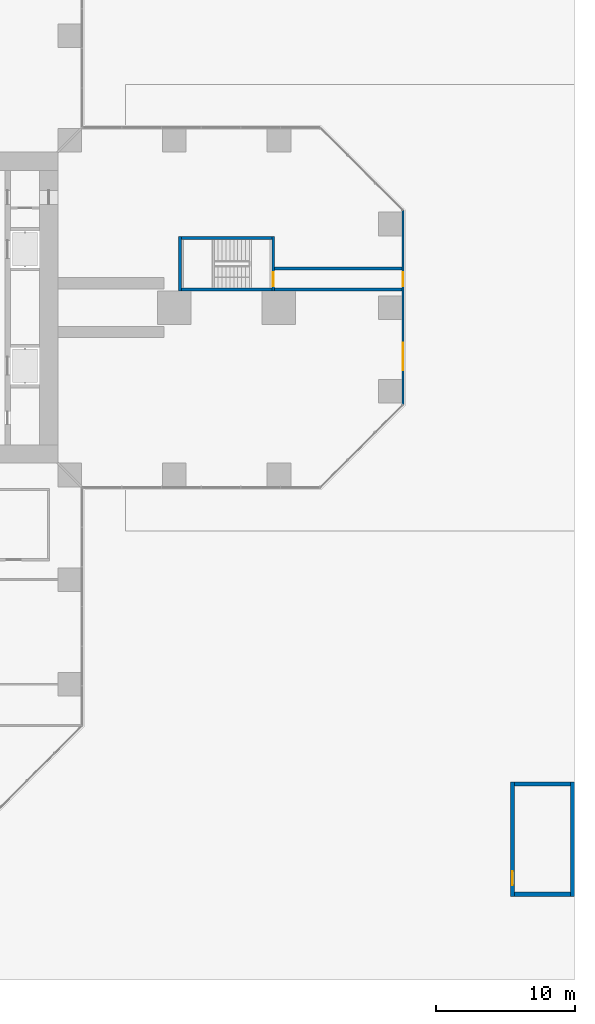
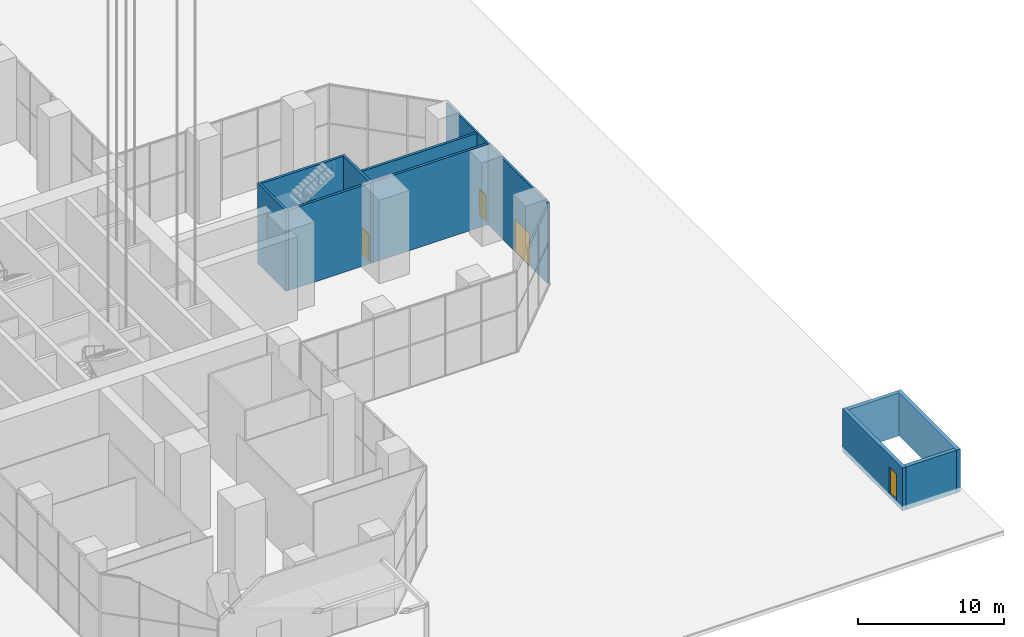
# One storey, part 20 of 43: 11 walls, 4 doors, 4 openings.
"""IFC4 building model written with IfcOpenShell, lengths in metres."""

from ifc_helpers import new_model, si_unit, direction, frame, frame_2d, origin, place, context, subcontext, project, spatial, rectangle, extrude, material, layer, layer_set, type_object, element, fill, save


model = new_model("IFC4")

# Units and contexts
model_context = context("Model", 3, precision=1e-05, world=origin(), true_north=direction((0.0, 1.0)))
body_context = subcontext(model_context, "Body", "Model", "MODEL_VIEW")
ifc_project = project(units=[si_unit("LENGTHUNIT", "METRE"), si_unit("AREAUNIT", "SQUARE_METRE"), si_unit("VOLUMEUNIT", "CUBIC_METRE"), si_unit("PLANEANGLEUNIT", "RADIAN"), si_unit("MASSUNIT", "GRAM", prefix="KILO")], contexts=[model_context])

# Site, building, storey
site_placement = place(None, origin())
site = spatial("IfcSite", under=ifc_project, at=site_placement, CompositionType="ELEMENT")
building_placement = place(site_placement, origin())
building = spatial("IfcBuilding", under=site, at=building_placement, Name="Mizan Broadcast Tower", CompositionType="ELEMENT")
storey_placement = place(building_placement, origin())
storey = spatial("IfcBuildingStorey", under=building, at=storey_placement, Name="L00", CompositionType="ELEMENT", Elevation=0.0)

# Wall, openings, doors
ifc_material_1 = material(Name="Aluminium framed glazed screen", Category="aluminium")
ifc_layer_1 = layer(ifc_material_1, 0.159912109375)
ifc_layer_set_1 = layer_set([ifc_layer_1], Name="Aluminium framed glazed screen")
wall_type_1 = type_object("IfcWallType", Name="GLAZED SCREEN WALL 160", PredefinedType="SOLIDWALL", material=ifc_layer_set_1)
wall_1_placement = place(storey_placement, frame((35.89990234375, -6.95849609375, 0.0), z_axis=(0.0, 0.0, 1.0), x_axis=(0.0, 1.0, 0.0)))
wall_1 = element("IfcWall", 1, at=wall_1_placement, inside=storey, type_object=wall_type_1, Name="External wall L00 E end", PredefinedType="SOLIDWALL", context=body_context, shape_type="SweptSolid", body=[
    extrude(rectangle(XDim=13.9169921875, YDim=0.159912109375, at=frame_2d((6.95849609375, 0.0))), origin(), (0.0, 0.0, 1.0), 6.75),
])
opening_1_placement = place(wall_1_placement, frame((2.45849609375, 0.0, 0.0)))
opening_1 = element("IfcOpeningElement", 2, at=opening_1_placement, cuts=wall_1, Name="Opening ED20", PredefinedType="OPENING", context=body_context, shape_type="SweptSolid", body=[
    extrude(rectangle(XDim=2.0, YDim=2.699951171875, at=frame_2d((1.0, 1.35009765625))), frame((0.0, 0.08984375, 0.0), z_axis=(0.0, -1.0, 0.0), x_axis=(1.0, 0.0, 0.0)), (0.0, 0.0, 1.0), 0.179931640625),
])
opening_2_placement = place(wall_1_placement, frame((8.508544921875, 0.0, 0.0)))
opening_2 = element("IfcOpeningElement", 3, at=opening_2_placement, cuts=wall_1, Name="Opening XD10", PredefinedType="OPENING", context=body_context, shape_type="SweptSolid", body=[
    extrude(rectangle(XDim=1.0, YDim=2.199951171875, at=frame_2d((0.5, 1.10009765625))), frame((0.0, 0.08984375, 0.0), z_axis=(0.0, -1.0, 0.0), x_axis=(1.0, 0.0, 0.0)), (0.0, 0.0, 1.0), 0.179931640625),
])
ifc_material_2 = material(Name="Aluminium framed glazed door", Category="aluminium")
door_type_1 = type_object("IfcDoorType", Name="ENTRANCE DOUBLE DOOR 2000 GLAZED", OperationType="DOUBLE_DOOR_DOUBLE_SWING", PredefinedType="DOOR", material=ifc_material_2)
door_1_placement = place(opening_1_placement, origin())
door_1 = element("IfcDoor", 4, at=door_1_placement, inside=storey, type_object=door_type_1, Name="East entrance door", OperationType="DOUBLE_DOOR_DOUBLE_SWING", OverallHeight=2.699951171875, OverallWidth=2.0, PredefinedType="DOOR", context=body_context, shape_type="SweptSolid", body=[
    extrude(rectangle(XDim=2.0, YDim=2.699951171875, at=frame_2d((1.0, 1.35009765625))), frame((0.0, 0.02490234375, 0.0), z_axis=(0.0, -1.0, 0.0), x_axis=(1.0, 0.0, 0.0)), (0.0, 0.0, 1.0), 0.050048828125),
])
fill(opening_1, door_1)
ifc_material_3 = material(Name="Steel door", Category="steel")
door_type_2 = type_object("IfcDoorType", Name="EXIT DOOR 1000", OperationType="SINGLE_SWING_LEFT", PredefinedType="DOOR", material=ifc_material_3)
door_2_placement = place(opening_2_placement, frame((1.0, 0.0, 0.0), z_axis=(0.0, 0.0, 1.0), x_axis=(-1.0, 0.0, 0.0)))
door_2 = element("IfcDoor", 5, at=door_2_placement, inside=storey, type_object=door_type_2, Name="Stair C exit door", OperationType="SINGLE_SWING_LEFT", OverallHeight=2.199951171875, OverallWidth=1.0, PredefinedType="DOOR", context=body_context, shape_type="SweptSolid", body=[
    extrude(rectangle(XDim=1.0, YDim=2.199951171875, at=frame_2d((0.5, 1.10009765625))), frame((0.0, 0.02490234375, 0.0), z_axis=(0.0, -1.0, 0.0), x_axis=(1.0, 0.0, 0.0)), (0.0, 0.0, 1.0), 0.050048828125),
])
fill(opening_2, door_2)

# Walls
ifc_material_4 = material(Name="Concrete blockwork", Category="masonry")
ifc_layer_2 = layer(ifc_material_4, 0.199951171875)
ifc_layer_set_2 = layer_set([ifc_layer_2], Name="Concrete blockwork")
wall_type_2 = type_object("IfcWallType", Name="STAIR ENCLOSURE WALL 200", PredefinedType="SOLIDWALL", material=ifc_layer_set_2)
for number, where, z_axis, x_axis, name in (
    (6, (26.699951171875, 1.300048828125, 0.0), (0.0, 0.0, 1.0), (1.0, 0.0, 0.0), "Stair enclosure wall XP/E/W1"),
    (7, (26.699951171875, 2.800048828125, 0.0), (0.0, 0.0, 1.0), (1.0, 0.0, 0.0), "Stair enclosure wall XP/E/W2"),
):
    element("IfcWall", number, at=place(storey_placement, frame(where, z_axis=z_axis, x_axis=x_axis)), inside=storey, type_object=wall_type_2, Name=name, PredefinedType="SOLIDWALL", context=body_context, shape_type="SweptSolid", body=[
        extrude(rectangle(XDim=9.1201171875, YDim=0.199951171875, at=frame_2d((4.56005859375, 0.0))), origin(), (0.0, 0.0, 1.0), 6.75),
    ])
ifc_material_5 = material(Name="Concrete C40/50", Category="concrete")
ifc_layer_3 = layer(ifc_material_5, 0.199951171875)
ifc_layer_set_3 = layer_set([ifc_layer_3], Name="Concrete C40/50")
wall_type_3 = type_object("IfcWallType", Name="STAIR SHAFT WALL 200 RC", PredefinedType="SOLIDWALL", material=ifc_layer_set_3)
wall_2_placement = place(storey_placement, frame((19.89990234375, 1.199951171875, 0.0), z_axis=(0.0, 0.0, 1.0), x_axis=(0.0, 1.0, 0.0)))
element("IfcWall", 8, at=wall_2_placement, inside=storey, type_object=wall_type_3, Name="Stair shaft wall PS/E/U0", PredefinedType="SOLIDWALL", context=body_context, shape_type="SweptSolid", body=[
    extrude(rectangle(XDim=3.900146484375, YDim=0.199951171875, at=frame_2d((1.9501953125, 0.0))), origin(), (0.0, 0.0, 1.0), 6.75),
])

# Wall, opening, door
wall_3_placement = place(storey_placement, frame((26.60009765625, 5.10009765625, 0.0), z_axis=(0.0, 0.0, 1.0), x_axis=(0.0, -1.0, 0.0)))
wall_3 = element("IfcWall", 9, at=wall_3_placement, inside=storey, type_object=wall_type_3, Name="Stair shaft wall PS/E/U1", PredefinedType="SOLIDWALL", context=body_context, shape_type="SweptSolid", body=[
    extrude(rectangle(XDim=3.900146484375, YDim=0.199951171875, at=frame_2d((1.9501953125, 0.0))), origin(), (0.0, 0.0, 1.0), 6.75),
])
opening_3_placement = place(wall_3_placement, frame((2.550048828125, 0.0, 0.0)))
opening_3 = element("IfcOpeningElement", 10, at=opening_3_placement, cuts=wall_3, Name="Opening D10S", PredefinedType="OPENING", context=body_context, shape_type="SweptSolid", body=[
    extrude(rectangle(XDim=1.0, YDim=2.199951171875, at=frame_2d((0.5, 1.10009765625))), frame((0.0, 0.10986328125, 0.0), z_axis=(0.0, -1.0, 0.0), x_axis=(1.0, 0.0, 0.0)), (0.0, 0.0, 1.0), 0.219970703125),
])
ifc_material_6 = material(Name="Steel door leaf in steel frame", Category="steel")
door_type_3 = type_object("IfcDoorType", Name="STAIR DOOR 1000 FD90S", OperationType="SINGLE_SWING_RIGHT", PredefinedType="DOOR", material=ifc_material_6)
door_3_placement = place(opening_3_placement, origin())
door_3 = element("IfcDoor", 11, at=door_3_placement, inside=storey, type_object=door_type_3, Name="Stair C door", OperationType="SINGLE_SWING_RIGHT", OverallHeight=2.199951171875, OverallWidth=1.0, PredefinedType="DOOR", context=body_context, shape_type="SweptSolid", body=[
    extrude(rectangle(XDim=1.0, YDim=2.199951171875, at=frame_2d((0.5, 1.10009765625))), frame((0.0, 0.02490234375, 0.0), z_axis=(0.0, -1.0, 0.0), x_axis=(1.0, 0.0, 0.0)), (0.0, 0.0, 1.0), 0.050048828125),
])
fill(opening_3, door_3)

# Walls
for number, where, z_axis, x_axis, name in (
    (12, (20.0, 1.300048828125, 0.0), (0.0, 0.0, 1.0), (1.0, 0.0, 0.0), "Stair shaft wall PS/E/V0"),
    (13, (26.5, 5.0, 0.0), (0.0, 0.0, 1.0), (-1.0, 0.0, 0.0), "Stair shaft wall PS/E/V1"),
):
    element("IfcWall", number, at=place(storey_placement, frame(where, z_axis=z_axis, x_axis=x_axis)), inside=storey, type_object=wall_type_3, Name=name, PredefinedType="SOLIDWALL", context=body_context, shape_type="SweptSolid", body=[
        extrude(rectangle(XDim=6.5, YDim=0.199951171875, at=frame_2d((3.25, 0.0))), origin(), (0.0, 0.0, 1.0), 6.75),
    ])

# Wall, opening, door
ifc_material_7 = material(Name="Concrete C40/50", Category="concrete")
ifc_layer_4 = layer(ifc_material_7, 0.300048828125)
ifc_layer_set_4 = layer_set([ifc_layer_4], Name="Concrete C40/50")
wall_type_4 = type_object("IfcWallType", Name="STAIR SHAFT WALL 300 RC", PredefinedType="SOLIDWALL", material=ifc_layer_set_4)
wall_4_placement = place(storey_placement, frame((43.75, -42.199951171875, -0.39990234375), z_axis=(0.0, 0.0, 1.0), x_axis=(0.0, 1.0, 0.0)))
wall_4 = element("IfcWall", 14, at=wall_4_placement, inside=storey, type_object=wall_type_4, Name="Stair shaft wall H I", PredefinedType="SOLIDWALL", context=body_context, shape_type="SweptSolid", body=[
    extrude(rectangle(XDim=8.199951171875, YDim=0.300048828125, at=frame_2d((4.10009765625, 0.0))), origin(), (0.0, 0.0, 1.0), 3.599853515625),
])
opening_4_placement = place(wall_4_placement, frame((0.800048828125, 0.0, 0.39990234375)))
opening_4 = element("IfcOpeningElement", 15, at=opening_4_placement, cuts=wall_4, Name="Opening XD10S", PredefinedType="OPENING", context=body_context, shape_type="SweptSolid", body=[
    extrude(rectangle(XDim=1.0, YDim=2.199951171875, at=frame_2d((0.5, 1.10009765625))), frame((0.0, 0.159912109375, 0.0), z_axis=(0.0, -1.0, 0.0), x_axis=(1.0, 0.0, 0.0)), (0.0, 0.0, 1.0), 0.320068359375),
])
ifc_material_8 = material(Name="Steel door leaf in steel frame", Category="steel")
door_type_4 = type_object("IfcDoorType", Name="STAIR EXIT DOOR 1000 FD90", OperationType="SINGLE_SWING_LEFT", PredefinedType="DOOR", material=ifc_material_8)
door_4_placement = place(opening_4_placement, origin())
door_4 = element("IfcDoor", 16, at=door_4_placement, inside=storey, type_object=door_type_4, Name="Stair H exit door", OperationType="SINGLE_SWING_LEFT", OverallHeight=2.199951171875, OverallWidth=1.0, PredefinedType="DOOR", context=body_context, shape_type="SweptSolid", body=[
    extrude(rectangle(XDim=1.0, YDim=2.199951171875, at=frame_2d((0.5, 1.10009765625))), frame((0.0, 0.02490234375, 0.0), z_axis=(0.0, -1.0, 0.0), x_axis=(1.0, 0.0, 0.0)), (0.0, 0.0, 1.0), 0.050048828125),
])
fill(opening_4, door_4)

# Walls
wall_5_placement = place(storey_placement, frame((48.050048828125, -34.0, -0.39990234375), z_axis=(0.0, 0.0, 1.0), x_axis=(0.0, -1.0, 0.0)))
element("IfcWall", 17, at=wall_5_placement, inside=storey, type_object=wall_type_4, Name="Stair shaft wall H O", PredefinedType="SOLIDWALL", context=body_context, shape_type="SweptSolid", body=[
    extrude(rectangle(XDim=8.199951171875, YDim=0.300048828125, at=frame_2d((4.10009765625, 0.0))), origin(), (0.0, 0.0, 1.0), 3.599853515625),
])
for number, where, z_axis, x_axis, name in (
    (18, (43.89990234375, -42.050048828125, -0.39990234375), (0.0, 0.0, 1.0), (1.0, 0.0, 0.0), "Stair shaft wall H D"),
    (19, (47.89990234375, -34.14990234375, -0.39990234375), (0.0, 0.0, 1.0), (-1.0, 0.0, 0.0), "Stair shaft wall H F"),
):
    element("IfcWall", number, at=place(storey_placement, frame(where, z_axis=z_axis, x_axis=x_axis)), inside=storey, type_object=wall_type_4, Name=name, PredefinedType="SOLIDWALL", context=body_context, shape_type="SweptSolid", body=[
        extrude(rectangle(XDim=4.0, YDim=0.300048828125, at=frame_2d((2.0, 0.0))), origin(), (0.0, 0.0, 1.0), 3.599853515625),
    ])

save(model, "model.ifc")
